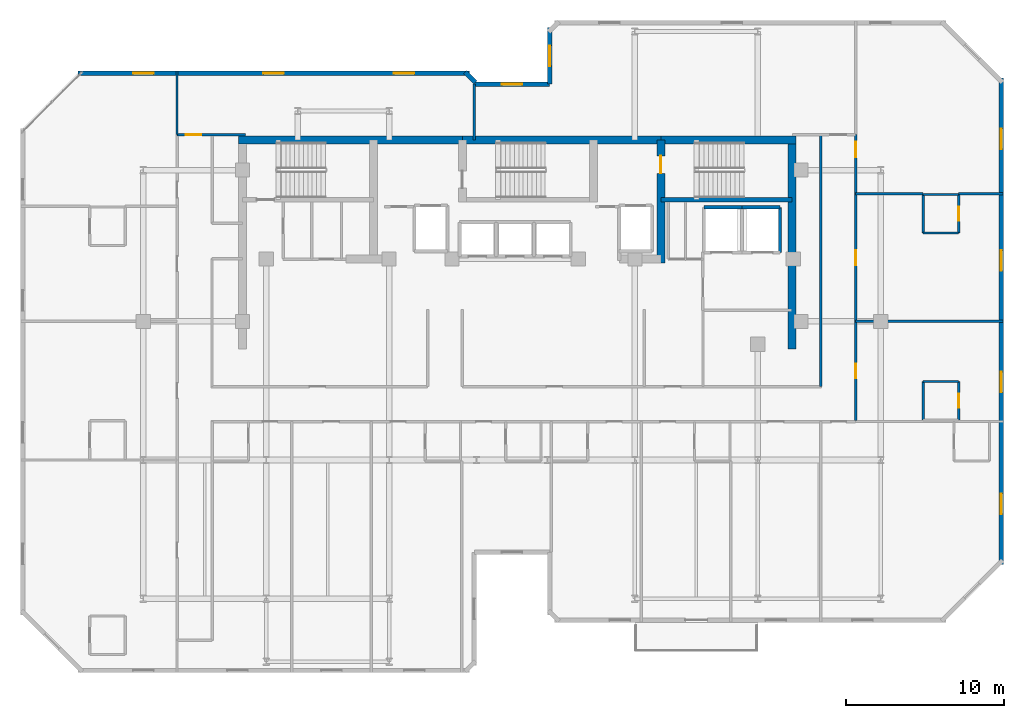
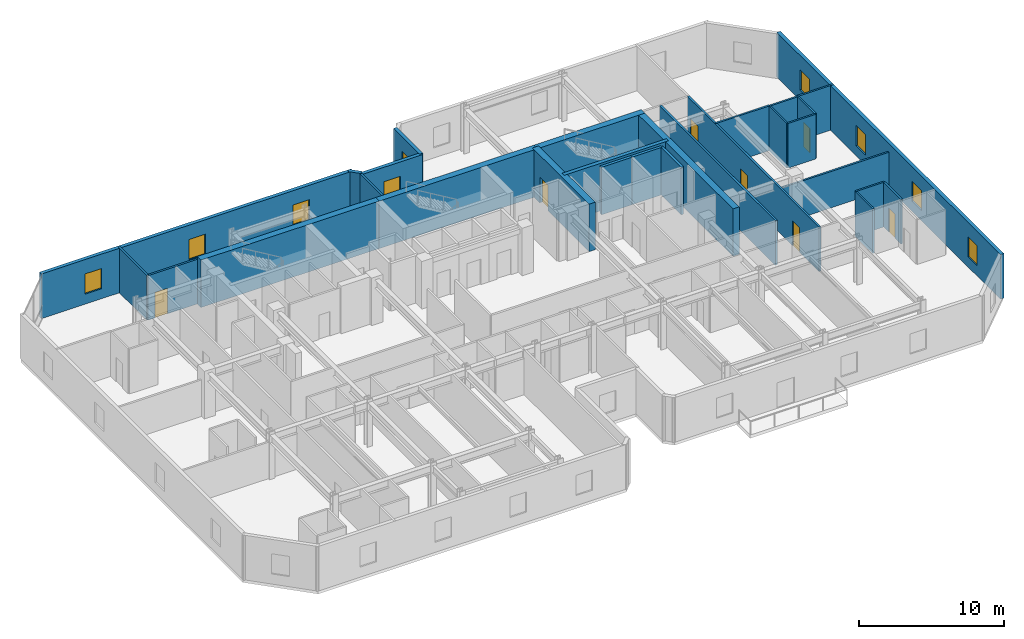
# One storey, part 7 of 11: 29 walls, 9 windows, 7 doors, 16 openings.
"""IFC4 building model written with IfcOpenShell, lengths in metres."""

from ifc_helpers import new_model, si_unit, direction, frame, frame_2d, origin, place, context, subcontext, project, spatial, rectangle, extrude, material, layer, layer_set, type_object, element, fill, save


model = new_model("IFC4")

# Units and contexts
model_context = context("Model", 3, precision=1e-05, world=origin(), true_north=direction((0.0, 1.0)))
body_context = subcontext(model_context, "Body", "Model", "MODEL_VIEW")
ifc_project = project(units=[si_unit("LENGTHUNIT", "METRE"), si_unit("AREAUNIT", "SQUARE_METRE"), si_unit("VOLUMEUNIT", "CUBIC_METRE"), si_unit("PLANEANGLEUNIT", "RADIAN"), si_unit("MASSUNIT", "GRAM", prefix="KILO")], contexts=[model_context])

# Site, building, storey
site_placement = place(None, origin())
site = spatial("IfcSite", under=ifc_project, at=site_placement, CompositionType="ELEMENT")
building_placement = place(site_placement, origin())
building = spatial("IfcBuilding", under=site, at=building_placement, Name="Kestravale Grand Hotel", CompositionType="ELEMENT")
storey_placement = place(building_placement, frame((0.0, 0.0, 289.39990234375)))
storey = spatial("IfcBuildingStorey", under=building, at=storey_placement, Name="L72", CompositionType="ELEMENT", Elevation=289.39990234375)

# Walls
ifc_material_1 = material(Name="Concrete f'c 50 MPa", Category="concrete")
ifc_layer_1 = layer(ifc_material_1, 0.5)
ifc_layer_set_1 = layer_set([ifc_layer_1], Name="EW-CORE-500")
wall_type_1 = type_object("IfcWallType", Name="EW-CORE-500", PredefinedType="SHEAR", material=ifc_layer_set_1)
wall_1_placement = place(storey_placement, frame((21.64990234375, 40.320068359375, 0.0), z_axis=(0.0, 0.0, 1.0), x_axis=(1.0, 0.0, 0.0)))
element("IfcWall", 1, at=wall_1_placement, inside=storey, type_object=wall_type_1, Name="L72 core shear wall N1", PredefinedType="SHEAR", context=body_context, shape_type="SweptSolid", body=[
    extrude(rectangle(XDim=14.2001953125, YDim=0.5, at=frame_2d((7.10009765625, 0.0))), origin(), (0.0, 0.0, 1.0), 4.0),
])
wall_2_placement = place(storey_placement, frame((35.85009765625, 40.320068359375, 0.0), z_axis=(0.0, 0.0, 1.0), x_axis=(1.0, 0.0, 0.0)))
element("IfcWall", 2, at=wall_2_placement, inside=storey, type_object=wall_type_1, Name="L72 core shear wall N2", PredefinedType="SHEAR", context=body_context, shape_type="SweptSolid", body=[
    extrude(rectangle(XDim=12.599853515625, YDim=0.5, at=frame_2d((6.2998046875, 0.0))), origin(), (0.0, 0.0, 1.0), 4.0),
])
wall_3_placement = place(storey_placement, frame((48.449951171875, 40.320068359375, 0.0), z_axis=(0.0, 0.0, 1.0), x_axis=(1.0, 0.0, 0.0)))
element("IfcWall", 3, at=wall_3_placement, inside=storey, type_object=wall_type_1, Name="L72 core shear wall N3", PredefinedType="SHEAR", context=body_context, shape_type="SweptSolid", body=[
    extrude(rectangle(XDim=8.570068359375, YDim=0.5, at=frame_2d((4.28515625, 0.0))), origin(), (0.0, 0.0, 1.0), 4.0),
])
wall_4_placement = place(storey_placement, frame((56.77001953125, 27.050048828125, 0.0), z_axis=(0.0, 0.0, 1.0), x_axis=(0.0, 1.0, 0.0)))
element("IfcWall", 4, at=wall_4_placement, inside=storey, type_object=wall_type_1, Name="L72 core shear wall E1", PredefinedType="SHEAR", context=body_context, shape_type="SweptSolid", body=[
    extrude(rectangle(XDim=13.52001953125, YDim=0.5, at=frame_2d((6.760009765625, 0.0))), origin(), (0.0, 0.0, 1.0), 4.0),
])

# Wall, opening, door
wall_5_placement = place(storey_placement, frame((48.449951171875, 32.5, 0.0), z_axis=(0.0, 0.0, 1.0), x_axis=(0.0, 1.0, 0.0)))
wall_5 = element("IfcWall", 5, at=wall_5_placement, inside=storey, type_object=wall_type_1, Name="L72 core shear wall X4", PredefinedType="SHEAR", context=body_context, shape_type="SweptSolid", body=[
    extrude(rectangle(XDim=7.820068359375, YDim=0.5, at=frame_2d((3.91015625, 0.0))), origin(), (0.0, 0.0, 1.0), 4.0),
])
opening_1_placement = place(wall_5_placement, frame((5.699951171875, 0.0, 0.0)))
opening_1 = element("IfcOpeningElement", 6, at=opening_1_placement, cuts=wall_5, Name="Opening D-ST-1100", PredefinedType="OPENING", context=body_context, shape_type="SweptSolid", body=[
    extrude(rectangle(XDim=1.10009765625, YDim=2.14990234375, at=frame_2d((0.550048828125, 1.074951171875))), frame((0.0, 0.260009765625, 0.0), z_axis=(0.0, -1.0, 0.0), x_axis=(1.0, 0.0, 0.0)), (0.0, 0.0, 1.0), 0.52001953125),
])
ifc_material_2 = material(Name="Galvanised 90-minute fire-rated steel stair door", Category="steel")
door_type_1 = type_object("IfcDoorType", Name="D-ST-1100", OperationType="NOTDEFINED", PredefinedType="DOOR", material=ifc_material_2)
door_1_placement = place(opening_1_placement, origin())
door_1 = element("IfcDoor", 7, at=door_1_placement, inside=storey, type_object=door_type_1, Name="L72 Stair ST-3 FSAE fire door", OperationType="SINGLE_SWING_RIGHT", OverallHeight=2.14990234375, OverallWidth=1.10009765625, PredefinedType="DOOR", context=body_context, shape_type="SweptSolid", body=[
    extrude(rectangle(XDim=1.10009765625, YDim=2.14990234375, at=frame_2d((0.550048828125, 1.074951171875))), frame((0.0, 0.02490234375, 0.0), z_axis=(0.0, -1.0, 0.0), x_axis=(1.0, 0.0, 0.0)), (0.0, 0.0, 1.0), 0.050048828125),
])
fill(opening_1, door_1)

# Wall, openings, windows
ifc_material_3 = material(Name="Precast concrete f'c 45 MPa", Category="concrete")
ifc_layer_2 = layer(ifc_material_3, 0.280029296875)
ifc_layer_set_2 = layer_set([ifc_layer_2], Name="EW-PREC-280")
wall_type_2 = type_object("IfcWallType", Name="EW-PREC-280", PredefinedType="SOLIDWALL", material=ifc_layer_set_2)
wall_6_placement = place(storey_placement, frame((70.06005859375, 13.360107421875, 0.0), z_axis=(0.0, 0.0, 1.0), x_axis=(0.0, 1.0, 0.0)))
wall_6 = element("IfcWall", 8, at=wall_6_placement, inside=storey, type_object=wall_type_2, Name="L72 fluted precast facade wall 9", PredefinedType="SOLIDWALL", context=body_context, shape_type="SweptSolid", body=[
    extrude(rectangle(XDim=30.8798828125, YDim=0.280029296875, at=frame_2d((15.43994140625, 0.0))), origin(), (0.0, 0.0, 1.0), 3.760009765625),
])
opening_2_placement = place(wall_6_placement, frame((3.2099609375, 0.0, 0.85009765625)))
opening_2 = element("IfcOpeningElement", 9, at=opening_2_placement, cuts=wall_6, Name="Opening W-GUEST-1300", PredefinedType="OPENING", context=body_context, shape_type="SweptSolid", body=[
    extrude(rectangle(XDim=1.300048828125, YDim=1.699951171875, at=frame_2d((0.64990234375, 0.85009765625))), frame((0.0, 0.14990234375, 0.0), z_axis=(0.0, -1.0, 0.0), x_axis=(1.0, 0.0, 0.0)), (0.0, 0.0, 1.0), 0.300048828125),
])
opening_3_placement = place(wall_6_placement, frame((10.929931640625, 0.0, 0.85009765625)))
opening_3 = element("IfcOpeningElement", 10, at=opening_3_placement, cuts=wall_6, Name="Opening W-GUEST-1300", PredefinedType="OPENING", context=body_context, shape_type="SweptSolid", body=[
    extrude(rectangle(XDim=1.300048828125, YDim=1.699951171875, at=frame_2d((0.64990234375, 0.85009765625))), frame((0.0, 0.14990234375, 0.0), z_axis=(0.0, -1.0, 0.0), x_axis=(1.0, 0.0, 0.0)), (0.0, 0.0, 1.0), 0.300048828125),
])
opening_4_placement = place(wall_6_placement, frame((18.64990234375, 0.0, 0.85009765625)))
opening_4 = element("IfcOpeningElement", 11, at=opening_4_placement, cuts=wall_6, Name="Opening W-GUEST-1300", PredefinedType="OPENING", context=body_context, shape_type="SweptSolid", body=[
    extrude(rectangle(XDim=1.300048828125, YDim=1.699951171875, at=frame_2d((0.64990234375, 0.85009765625))), frame((0.0, 0.14990234375, 0.0), z_axis=(0.0, -1.0, 0.0), x_axis=(1.0, 0.0, 0.0)), (0.0, 0.0, 1.0), 0.300048828125),
])
opening_5_placement = place(wall_6_placement, frame((26.3701171875, 0.0, 0.85009765625)))
opening_5 = element("IfcOpeningElement", 12, at=opening_5_placement, cuts=wall_6, Name="Opening W-GUEST-1300", PredefinedType="OPENING", context=body_context, shape_type="SweptSolid", body=[
    extrude(rectangle(XDim=1.300048828125, YDim=1.699951171875, at=frame_2d((0.64990234375, 0.85009765625))), frame((0.0, 0.14990234375, 0.0), z_axis=(0.0, -1.0, 0.0), x_axis=(1.0, 0.0, 0.0)), (0.0, 0.0, 1.0), 0.300048828125),
])
ifc_material_4 = material(Name="Insulated low-E double glazing in aluminium frame", Category="aluminium")
window_type = type_object("IfcWindowType", Name="W-GUEST-1300", PartitioningType="SINGLE_PANEL", PredefinedType="WINDOW", material=ifc_material_4)
window_1_placement = place(opening_2_placement, origin())
window_1 = element("IfcWindow", 13, at=window_1_placement, inside=storey, type_object=window_type, Name="L72 exterior window 9.1", OverallHeight=1.699951171875, OverallWidth=1.300048828125, PartitioningType="SINGLE_PANEL", PredefinedType="WINDOW", context=body_context, shape_type="SweptSolid", body=[
    extrude(rectangle(XDim=1.300048828125, YDim=1.699951171875, at=frame_2d((0.64990234375, 0.85009765625))), frame((0.0, 0.030029296875, 0.0), z_axis=(0.0, -1.0, 0.0), x_axis=(1.0, 0.0, 0.0)), (0.0, 0.0, 1.0), 0.06005859375),
])
fill(opening_2, window_1)
window_2_placement = place(opening_3_placement, origin())
window_2 = element("IfcWindow", 14, at=window_2_placement, inside=storey, type_object=window_type, Name="L72 exterior window 9.2", OverallHeight=1.699951171875, OverallWidth=1.300048828125, PartitioningType="SINGLE_PANEL", PredefinedType="WINDOW", context=body_context, shape_type="SweptSolid", body=[
    extrude(rectangle(XDim=1.300048828125, YDim=1.699951171875, at=frame_2d((0.64990234375, 0.85009765625))), frame((0.0, 0.030029296875, 0.0), z_axis=(0.0, -1.0, 0.0), x_axis=(1.0, 0.0, 0.0)), (0.0, 0.0, 1.0), 0.06005859375),
])
fill(opening_3, window_2)
window_3_placement = place(opening_4_placement, origin())
window_3 = element("IfcWindow", 15, at=window_3_placement, inside=storey, type_object=window_type, Name="L72 exterior window 9.3", OverallHeight=1.699951171875, OverallWidth=1.300048828125, PartitioningType="SINGLE_PANEL", PredefinedType="WINDOW", context=body_context, shape_type="SweptSolid", body=[
    extrude(rectangle(XDim=1.300048828125, YDim=1.699951171875, at=frame_2d((0.64990234375, 0.85009765625))), frame((0.0, 0.030029296875, 0.0), z_axis=(0.0, -1.0, 0.0), x_axis=(1.0, 0.0, 0.0)), (0.0, 0.0, 1.0), 0.06005859375),
])
fill(opening_4, window_3)
window_4_placement = place(opening_5_placement, origin())
window_4 = element("IfcWindow", 16, at=window_4_placement, inside=storey, type_object=window_type, Name="L72 exterior window 9.4", OverallHeight=1.699951171875, OverallWidth=1.300048828125, PartitioningType="SINGLE_PANEL", PredefinedType="WINDOW", context=body_context, shape_type="SweptSolid", body=[
    extrude(rectangle(XDim=1.300048828125, YDim=1.699951171875, at=frame_2d((0.64990234375, 0.85009765625))), frame((0.0, 0.030029296875, 0.0), z_axis=(0.0, -1.0, 0.0), x_axis=(1.0, 0.0, 0.0)), (0.0, 0.0, 1.0), 0.06005859375),
])
fill(opening_5, window_4)

# Wall, opening, window
wall_7_placement = place(storey_placement, frame((41.389892578125, 47.43994140625, 0.0), z_axis=(0.0, 0.0, 1.0), x_axis=(0.0, -1.0, 0.0)))
wall_7 = element("IfcWall", 17, at=wall_7_placement, inside=storey, type_object=wall_type_2, Name="L72 fluted precast facade wall 13", PredefinedType="SOLIDWALL", context=body_context, shape_type="SweptSolid", body=[
    extrude(rectangle(XDim=3.579833984375, YDim=0.280029296875, at=frame_2d((1.7900390625, 0.0))), origin(), (0.0, 0.0, 1.0), 3.760009765625),
])
opening_6_placement = place(wall_7_placement, frame((1.139892578125, 0.0, 0.85009765625)))
opening_6 = element("IfcOpeningElement", 18, at=opening_6_placement, cuts=wall_7, Name="Opening W-GUEST-1300", PredefinedType="OPENING", context=body_context, shape_type="SweptSolid", body=[
    extrude(rectangle(XDim=1.300048828125, YDim=1.699951171875, at=frame_2d((0.64990234375, 0.85009765625))), frame((0.0, 0.14990234375, 0.0), z_axis=(0.0, -1.0, 0.0), x_axis=(1.0, 0.0, 0.0)), (0.0, 0.0, 1.0), 0.300048828125),
])
window_5_placement = place(opening_6_placement, origin())
window_5 = element("IfcWindow", 19, at=window_5_placement, inside=storey, type_object=window_type, Name="L72 exterior window 13.1", OverallHeight=1.699951171875, OverallWidth=1.300048828125, PartitioningType="SINGLE_PANEL", PredefinedType="WINDOW", context=body_context, shape_type="SweptSolid", body=[
    extrude(rectangle(XDim=1.300048828125, YDim=1.699951171875, at=frame_2d((0.64990234375, 0.85009765625))), frame((0.0, 0.030029296875, 0.0), z_axis=(0.0, -1.0, 0.0), x_axis=(1.0, 0.0, 0.0)), (0.0, 0.0, 1.0), 0.06005859375),
])
fill(opening_6, window_5)

wall_8_placement = place(storey_placement, frame((41.389892578125, 43.860107421875, 0.0), z_axis=(0.0, 0.0, 1.0), x_axis=(-1.0, 0.0, 0.0)))
wall_8 = element("IfcWall", 20, at=wall_8_placement, inside=storey, type_object=wall_type_2, Name="L72 fluted precast facade wall 14", PredefinedType="SOLIDWALL", context=body_context, shape_type="SweptSolid", body=[
    extrude(rectangle(XDim=4.77978515625, YDim=0.280029296875, at=frame_2d((2.389892578125, 0.0))), origin(), (0.0, 0.0, 1.0), 3.760009765625),
])
opening_7_placement = place(wall_8_placement, frame((1.739990234375, 0.0, 0.85009765625)))
opening_7 = element("IfcOpeningElement", 21, at=opening_7_placement, cuts=wall_8, Name="Opening W-GUEST-1300", PredefinedType="OPENING", context=body_context, shape_type="SweptSolid", body=[
    extrude(rectangle(XDim=1.300048828125, YDim=1.699951171875, at=frame_2d((0.64990234375, 0.85009765625))), frame((0.0, 0.14990234375, 0.0), z_axis=(0.0, -1.0, 0.0), x_axis=(1.0, 0.0, 0.0)), (0.0, 0.0, 1.0), 0.300048828125),
])
window_6_placement = place(opening_7_placement, origin())
window_6 = element("IfcWindow", 22, at=window_6_placement, inside=storey, type_object=window_type, Name="L72 exterior window 14.1", OverallHeight=1.699951171875, OverallWidth=1.300048828125, PartitioningType="SINGLE_PANEL", PredefinedType="WINDOW", context=body_context, shape_type="SweptSolid", body=[
    extrude(rectangle(XDim=1.300048828125, YDim=1.699951171875, at=frame_2d((0.64990234375, 0.85009765625))), frame((0.0, 0.030029296875, 0.0), z_axis=(0.0, -1.0, 0.0), x_axis=(1.0, 0.0, 0.0)), (0.0, 0.0, 1.0), 0.06005859375),
])
fill(opening_7, window_6)

# Wall
wall_9_placement = place(storey_placement, frame((36.67919921875, 43.97265625, 0.0), z_axis=(0.0, 0.0, 1.0), x_axis=(-0.706975312048, 0.707238225886, 0.0)))
element("IfcWall", 23, at=wall_9_placement, inside=storey, type_object=wall_type_2, Name="L72 fluted precast facade wall 16", PredefinedType="SOLIDWALL", context=body_context, shape_type="SweptSolid", body=[
    extrude(rectangle(XDim=0.9287109375, YDim=0.280029296875, at=frame_2d((0.46435546875, 0.0))), origin(), (0.0, 0.0, 1.0), 3.760009765625),
])

# Wall, openings, windows
wall_10_placement = place(storey_placement, frame((36.2900390625, 44.56005859375, 0.0), z_axis=(0.0, 0.0, 1.0), x_axis=(-1.0, 0.0, 0.0)))
wall_10 = element("IfcWall", 24, at=wall_10_placement, inside=storey, type_object=wall_type_2, Name="L72 fluted precast facade wall 17", PredefinedType="SOLIDWALL", context=body_context, shape_type="SweptSolid", body=[
    extrude(rectangle(XDim=24.830078125, YDim=0.280029296875, at=frame_2d((12.4150390625, 0.0))), origin(), (0.0, 0.0, 1.0), 3.760009765625),
])
opening_8_placement = place(wall_10_placement, frame((3.48828125, 0.0, 0.85009765625)))
opening_8 = element("IfcOpeningElement", 25, at=opening_8_placement, cuts=wall_10, Name="Opening W-GUEST-1300", PredefinedType="OPENING", context=body_context, shape_type="SweptSolid", body=[
    extrude(rectangle(XDim=1.300048828125, YDim=1.699951171875, at=frame_2d((0.64990234375, 0.85009765625))), frame((0.0, 0.14990234375, 0.0), z_axis=(0.0, -1.0, 0.0), x_axis=(1.0, 0.0, 0.0)), (0.0, 0.0, 1.0), 0.300048828125),
])
opening_9_placement = place(wall_10_placement, frame((11.764892578125, 0.0, 0.85009765625)))
opening_9 = element("IfcOpeningElement", 26, at=opening_9_placement, cuts=wall_10, Name="Opening W-GUEST-1300", PredefinedType="OPENING", context=body_context, shape_type="SweptSolid", body=[
    extrude(rectangle(XDim=1.300048828125, YDim=1.699951171875, at=frame_2d((0.64990234375, 0.85009765625))), frame((0.0, 0.14990234375, 0.0), z_axis=(0.0, -1.0, 0.0), x_axis=(1.0, 0.0, 0.0)), (0.0, 0.0, 1.0), 0.300048828125),
])
opening_10_placement = place(wall_10_placement, frame((20.041748046875, 0.0, 0.85009765625)))
opening_10 = element("IfcOpeningElement", 27, at=opening_10_placement, cuts=wall_10, Name="Opening W-GUEST-1300", PredefinedType="OPENING", context=body_context, shape_type="SweptSolid", body=[
    extrude(rectangle(XDim=1.300048828125, YDim=1.699951171875, at=frame_2d((0.64990234375, 0.85009765625))), frame((0.0, 0.14990234375, 0.0), z_axis=(0.0, -1.0, 0.0), x_axis=(1.0, 0.0, 0.0)), (0.0, 0.0, 1.0), 0.300048828125),
])
window_7_placement = place(opening_8_placement, origin())
window_7 = element("IfcWindow", 28, at=window_7_placement, inside=storey, type_object=window_type, Name="L72 exterior window 17.1", OverallHeight=1.699951171875, OverallWidth=1.300048828125, PartitioningType="SINGLE_PANEL", PredefinedType="WINDOW", context=body_context, shape_type="SweptSolid", body=[
    extrude(rectangle(XDim=1.300048828125, YDim=1.699951171875, at=frame_2d((0.64990234375, 0.85009765625))), frame((0.0, 0.030029296875, 0.0), z_axis=(0.0, -1.0, 0.0), x_axis=(1.0, 0.0, 0.0)), (0.0, 0.0, 1.0), 0.06005859375),
])
fill(opening_8, window_7)
window_8_placement = place(opening_9_placement, origin())
window_8 = element("IfcWindow", 29, at=window_8_placement, inside=storey, type_object=window_type, Name="L72 exterior window 17.2", OverallHeight=1.699951171875, OverallWidth=1.300048828125, PartitioningType="SINGLE_PANEL", PredefinedType="WINDOW", context=body_context, shape_type="SweptSolid", body=[
    extrude(rectangle(XDim=1.300048828125, YDim=1.699951171875, at=frame_2d((0.64990234375, 0.85009765625))), frame((0.0, 0.030029296875, 0.0), z_axis=(0.0, -1.0, 0.0), x_axis=(1.0, 0.0, 0.0)), (0.0, 0.0, 1.0), 0.06005859375),
])
fill(opening_9, window_8)
window_9_placement = place(opening_10_placement, origin())
window_9 = element("IfcWindow", 30, at=window_9_placement, inside=storey, type_object=window_type, Name="L72 exterior window 17.3", OverallHeight=1.699951171875, OverallWidth=1.300048828125, PartitioningType="SINGLE_PANEL", PredefinedType="WINDOW", context=body_context, shape_type="SweptSolid", body=[
    extrude(rectangle(XDim=1.300048828125, YDim=1.699951171875, at=frame_2d((0.64990234375, 0.85009765625))), frame((0.0, 0.030029296875, 0.0), z_axis=(0.0, -1.0, 0.0), x_axis=(1.0, 0.0, 0.0)), (0.0, 0.0, 1.0), 0.06005859375),
])
fill(opening_10, window_9)

# Wall
ifc_material_5 = material(Name="Concrete f'c 45 MPa", Category="concrete")
ifc_layer_3 = layer(ifc_material_5, 0.300048828125)
ifc_layer_set_3 = layer_set([ifc_layer_3], Name="EW-STAIR-300")
wall_type_3 = type_object("IfcWallType", Name="EW-STAIR-300", PredefinedType="SHEAR", material=ifc_layer_set_3)
wall_11_placement = place(storey_placement, frame((48.449951171875, 36.52001953125, 0.0), z_axis=(0.0, 0.0, 1.0), x_axis=(1.0, 0.0, 0.0)))
element("IfcWall", 31, at=wall_11_placement, inside=storey, type_object=wall_type_3, Name="L72 stair enclosure shear wall SST3", PredefinedType="SHEAR", context=body_context, shape_type="SweptSolid", body=[
    extrude(rectangle(XDim=8.320068359375, YDim=0.300048828125, at=frame_2d((4.16015625, 0.0))), origin(), (0.0, 0.0, 1.0), 4.0),
])

# Wall, openings, doors
ifc_material_6 = material(Name="Acoustic fire-rated gypsum board partition", Category="other")
ifc_layer_4 = layer(ifc_material_6, 0.159912109375)
ifc_layer_set_4 = layer_set([ifc_layer_4], Name="IW-CORR-160")
wall_type_4 = type_object("IfcWallType", Name="IW-CORR-160", PredefinedType="PARTITIONING", material=ifc_layer_set_4)
wall_12_placement = place(storey_placement, frame((60.81005859375, 22.5, 0.0), z_axis=(0.0, 0.0, 1.0), x_axis=(0.0, 1.0, 0.0)))
wall_12 = element("IfcWall", 32, at=wall_12_placement, inside=storey, type_object=wall_type_4, Name="W-L72-SE-E", PredefinedType="PARTITIONING", context=body_context, shape_type="SweptSolid", body=[
    extrude(rectangle(XDim=18.14990234375, YDim=0.159912109375, at=frame_2d((9.074951171875, 0.0))), origin(), (0.0, 0.0, 1.0), 3.760009765625),
])
opening_11_placement = place(wall_12_placement, frame((2.675048828125, 0.0, 0.0)))
opening_11 = element("IfcOpeningElement", 33, at=opening_11_placement, cuts=wall_12, Name="Opening D-GUEST-950", PredefinedType="OPENING", context=body_context, shape_type="SweptSolid", body=[
    extrude(rectangle(XDim=0.949951171875, YDim=2.10009765625, at=frame_2d((0.47509765625, 1.050048828125))), frame((0.0, 0.08984375, 0.0), z_axis=(0.0, -1.0, 0.0), x_axis=(1.0, 0.0, 0.0)), (0.0, 0.0, 1.0), 0.179931640625),
])
opening_12_placement = place(wall_12_placement, frame((9.875, 0.0, 0.0)))
opening_12 = element("IfcOpeningElement", 34, at=opening_12_placement, cuts=wall_12, Name="Opening D-GUEST-950", PredefinedType="OPENING", context=body_context, shape_type="SweptSolid", body=[
    extrude(rectangle(XDim=0.949951171875, YDim=2.10009765625, at=frame_2d((0.47509765625, 1.050048828125))), frame((0.0, 0.08984375, 0.0), z_axis=(0.0, -1.0, 0.0), x_axis=(1.0, 0.0, 0.0)), (0.0, 0.0, 1.0), 0.179931640625),
])
opening_13_placement = place(wall_12_placement, frame((16.7099609375, 0.0, 0.0)))
opening_13 = element("IfcOpeningElement", 35, at=opening_13_placement, cuts=wall_12, Name="Opening D-GUEST-1000", PredefinedType="OPENING", context=body_context, shape_type="SweptSolid", body=[
    extrude(rectangle(XDim=1.0, YDim=2.14990234375, at=frame_2d((0.5, 1.074951171875))), frame((0.0, 0.08984375, 0.0), z_axis=(0.0, -1.0, 0.0), x_axis=(1.0, 0.0, 0.0)), (0.0, 0.0, 1.0), 0.179931640625),
])
ifc_material_7 = material(Name="Accessible walnut veneer hotel entrance fire door", Category="wood")
door_type_2 = type_object("IfcDoorType", Name="D-GUEST-1000", OperationType="NOTDEFINED", PredefinedType="DOOR", material=ifc_material_7)
door_2_placement = place(opening_13_placement, origin())
door_2 = element("IfcDoor", 36, at=door_2_placement, inside=storey, type_object=door_type_2, Name="D-L72-AMEW", OperationType="SINGLE_SWING_LEFT", OverallHeight=2.14990234375, OverallWidth=1.0, PredefinedType="DOOR", context=body_context, shape_type="SweptSolid", body=[
    extrude(rectangle(XDim=1.0, YDim=2.14990234375, at=frame_2d((0.5, 1.074951171875))), frame((0.0, 0.02490234375, 0.0), z_axis=(0.0, -1.0, 0.0), x_axis=(1.0, 0.0, 0.0)), (0.0, 0.0, 1.0), 0.050048828125),
])
fill(opening_13, door_2)
ifc_material_8 = material(Name="Walnut veneer hotel guestroom entrance fire door", Category="wood")
door_type_3 = type_object("IfcDoorType", Name="D-GUEST-950", OperationType="NOTDEFINED", PredefinedType="DOOR", material=ifc_material_8)
door_3_placement = place(opening_11_placement, origin())
door_3 = element("IfcDoor", 37, at=door_3_placement, inside=storey, type_object=door_type_3, Name="D-L72-U10-ENT", OperationType="SINGLE_SWING_RIGHT", OverallHeight=2.10009765625, OverallWidth=0.949951171875, PredefinedType="DOOR", context=body_context, shape_type="SweptSolid", body=[
    extrude(rectangle(XDim=0.949951171875, YDim=2.10009765625, at=frame_2d((0.47509765625, 1.050048828125))), frame((0.0, 0.02490234375, 0.0), z_axis=(0.0, -1.0, 0.0), x_axis=(1.0, 0.0, 0.0)), (0.0, 0.0, 1.0), 0.050048828125),
])
fill(opening_11, door_3)
door_4_placement = place(opening_12_placement, origin())
door_4 = element("IfcDoor", 38, at=door_4_placement, inside=storey, type_object=door_type_3, Name="D-L72-U11-ENT", OperationType="SINGLE_SWING_RIGHT", OverallHeight=2.10009765625, OverallWidth=0.949951171875, PredefinedType="DOOR", context=body_context, shape_type="SweptSolid", body=[
    extrude(rectangle(XDim=0.949951171875, YDim=2.10009765625, at=frame_2d((0.47509765625, 1.050048828125))), frame((0.0, 0.02490234375, 0.0), z_axis=(0.0, -1.0, 0.0), x_axis=(1.0, 0.0, 0.0)), (0.0, 0.0, 1.0), 0.050048828125),
])
fill(opening_12, door_4)

# Walls
wall_13_placement = place(storey_placement, frame((58.590087890625, 24.659912109375, 0.0), z_axis=(0.0, 0.0, 1.0), x_axis=(0.0, 1.0, 0.0)))
element("IfcWall", 39, at=wall_13_placement, inside=storey, type_object=wall_type_4, Name="W-L72-SE-WU", PredefinedType="PARTITIONING", context=body_context, shape_type="SweptSolid", body=[
    extrude(rectangle(XDim=15.989990234375, YDim=0.159912109375, at=frame_2d((7.9951171875, 0.0))), origin(), (0.0, 0.0, 1.0), 3.760009765625),
])
ifc_material_9 = material(Name="Moisture-resistant tile-backer plumbing chase wall", Category="other")
ifc_layer_5 = layer(ifc_material_9, 0.139892578125)
ifc_layer_set_5 = layer_set([ifc_layer_5], Name="IW-PLB-140")
wall_type_5 = type_object("IfcWallType", Name="IW-PLB-140", PredefinedType="PLUMBINGWALL", material=ifc_layer_set_5)
wall_14_placement = place(storey_placement, frame((65.10009765625, 22.5400390625, 0.0), z_axis=(0.0, 0.0, 1.0), x_axis=(0.0, 1.0, 0.0)))
element("IfcWall", 40, at=wall_14_placement, inside=storey, type_object=wall_type_5, Name="W-L72-U10-BW", PredefinedType="PLUMBINGWALL", context=body_context, shape_type="SweptSolid", body=[
    extrude(rectangle(XDim=2.449951171875, YDim=0.139892578125, at=frame_2d((1.22509765625, 0.0))), origin(), (0.0, 0.0, 1.0), 3.760009765625),
])

# Wall, opening, door
wall_15_placement = place(storey_placement, frame((67.35009765625, 22.5400390625, 0.0), z_axis=(0.0, 0.0, 1.0), x_axis=(0.0, 1.0, 0.0)))
wall_15 = element("IfcWall", 41, at=wall_15_placement, inside=storey, type_object=wall_type_5, Name="W-L72-U10-BE", PredefinedType="PLUMBINGWALL", context=body_context, shape_type="SweptSolid", body=[
    extrude(rectangle(XDim=2.449951171875, YDim=0.139892578125, at=frame_2d((1.22509765625, 0.0))), origin(), (0.0, 0.0, 1.0), 3.760009765625),
])
opening_14_placement = place(wall_15_placement, frame((0.784912109375, 0.0, 0.0)))
opening_14 = element("IfcOpeningElement", 42, at=opening_14_placement, cuts=wall_15, Name="Opening D-BATH-880", PredefinedType="OPENING", context=body_context, shape_type="SweptSolid", body=[
    extrude(rectangle(XDim=0.8798828125, YDim=2.050048828125, at=frame_2d((0.43994140625, 1.02490234375))), frame((0.0, 0.079833984375, 0.0), z_axis=(0.0, -1.0, 0.0), x_axis=(1.0, 0.0, 0.0)), (0.0, 0.0, 1.0), 0.159912109375),
])
ifc_material_10 = material(Name="Moisture-sealed walnut en-suite bathroom door", Category="wood")
door_type_4 = type_object("IfcDoorType", Name="D-BATH-880", OperationType="NOTDEFINED", PredefinedType="DOOR", material=ifc_material_10)
door_5_placement = place(opening_14_placement, origin())
door_5 = element("IfcDoor", 43, at=door_5_placement, inside=storey, type_object=door_type_4, Name="D-L72-U10-BATH", OperationType="SINGLE_SWING_LEFT", OverallHeight=2.050048828125, OverallWidth=0.8798828125, PredefinedType="DOOR", context=body_context, shape_type="SweptSolid", body=[
    extrude(rectangle(XDim=0.8798828125, YDim=2.050048828125, at=frame_2d((0.43994140625, 1.02490234375))), frame((0.0, 0.02490234375, 0.0), z_axis=(0.0, -1.0, 0.0), x_axis=(1.0, 0.0, 0.0)), (0.0, 0.0, 1.0), 0.050048828125),
])
fill(opening_14, door_5)

# Walls
wall_16_placement = place(storey_placement, frame((65.10009765625, 24.989990234375, 0.0), z_axis=(0.0, 0.0, 1.0), x_axis=(1.0, 0.0, 0.0)))
element("IfcWall", 44, at=wall_16_placement, inside=storey, type_object=wall_type_5, Name="W-L72-U10-BN", PredefinedType="PLUMBINGWALL", context=body_context, shape_type="SweptSolid", body=[
    extrude(rectangle(XDim=2.25, YDim=0.139892578125, at=frame_2d((1.125, 0.0))), origin(), (0.0, 0.0, 1.0), 3.760009765625),
])
wall_17_placement = place(storey_placement, frame((65.10009765625, 34.409912109375, 0.0), z_axis=(0.0, 0.0, 1.0), x_axis=(0.0, 1.0, 0.0)))
element("IfcWall", 45, at=wall_17_placement, inside=storey, type_object=wall_type_5, Name="W-L72-U11-BW", PredefinedType="PLUMBINGWALL", context=body_context, shape_type="SweptSolid", body=[
    extrude(rectangle(XDim=2.4501953125, YDim=0.139892578125, at=frame_2d((1.22509765625, 0.0))), origin(), (0.0, 0.0, 1.0), 3.760009765625),
])

# Wall, opening, door
wall_18_placement = place(storey_placement, frame((67.35009765625, 34.409912109375, 0.0), z_axis=(0.0, 0.0, 1.0), x_axis=(0.0, 1.0, 0.0)))
wall_18 = element("IfcWall", 46, at=wall_18_placement, inside=storey, type_object=wall_type_5, Name="W-L72-U11-BE", PredefinedType="PLUMBINGWALL", context=body_context, shape_type="SweptSolid", body=[
    extrude(rectangle(XDim=2.4501953125, YDim=0.139892578125, at=frame_2d((1.22509765625, 0.0))), origin(), (0.0, 0.0, 1.0), 3.760009765625),
])
opening_15_placement = place(wall_18_placement, frame((0.784912109375, 0.0, 0.0)))
opening_15 = element("IfcOpeningElement", 47, at=opening_15_placement, cuts=wall_18, Name="Opening D-BATH-880", PredefinedType="OPENING", context=body_context, shape_type="SweptSolid", body=[
    extrude(rectangle(XDim=0.8798828125, YDim=2.050048828125, at=frame_2d((0.43994140625, 1.02490234375))), frame((0.0, 0.079833984375, 0.0), z_axis=(0.0, -1.0, 0.0), x_axis=(1.0, 0.0, 0.0)), (0.0, 0.0, 1.0), 0.159912109375),
])
door_6_placement = place(opening_15_placement, origin())
door_6 = element("IfcDoor", 48, at=door_6_placement, inside=storey, type_object=door_type_4, Name="D-L72-U11-BATH", OperationType="SINGLE_SWING_LEFT", OverallHeight=2.050048828125, OverallWidth=0.8798828125, PredefinedType="DOOR", context=body_context, shape_type="SweptSolid", body=[
    extrude(rectangle(XDim=0.8798828125, YDim=2.050048828125, at=frame_2d((0.43994140625, 1.02490234375))), frame((0.0, 0.02490234375, 0.0), z_axis=(0.0, -1.0, 0.0), x_axis=(1.0, 0.0, 0.0)), (0.0, 0.0, 1.0), 0.050048828125),
])
fill(opening_15, door_6)

# Walls
for number, where, z_axis, x_axis, name in (
    (49, (65.10009765625, 34.409912109375, 0.0), (0.0, 0.0, 1.0), (1.0, 0.0, 0.0), "W-L72-U11-BS"),
    (50, (65.10009765625, 36.860107421875, 0.0), (0.0, 0.0, 1.0), (1.0, 0.0, 0.0), "W-L72-U11-BN"),
):
    element("IfcWall", number, at=place(storey_placement, frame(where, z_axis=z_axis, x_axis=x_axis)), inside=storey, type_object=wall_type_5, Name=name, PredefinedType="PLUMBINGWALL", context=body_context, shape_type="SweptSolid", body=[
        extrude(rectangle(XDim=2.25, YDim=0.139892578125, at=frame_2d((1.125, 0.0))), origin(), (0.0, 0.0, 1.0), 3.760009765625),
    ])
ifc_material_11 = material(Name="Concrete f'c 45 MPa", Category="concrete")
ifc_layer_6 = layer(ifc_material_11, 0.199951171875)
ifc_layer_set_6 = layer_set([ifc_layer_6], Name="IW-SHAFT-200")
wall_type_6 = type_object("IfcWallType", Name="IW-SHAFT-200", PredefinedType="SHEAR", material=ifc_layer_set_6)
wall_19_placement = place(storey_placement, frame((56.02001953125, 33.169921875, 0.0), z_axis=(0.0, 0.0, 1.0), x_axis=(0.0, 1.0, 0.0)))
element("IfcWall", 51, at=wall_19_placement, inside=storey, type_object=wall_type_6, Name="L72 SL-2 east shaft wall", PredefinedType="SHEAR", context=body_context, shape_type="SweptSolid", body=[
    extrude(rectangle(XDim=2.860107421875, YDim=0.199951171875, at=frame_2d((1.43017578125, 0.0))), origin(), (0.0, 0.0, 1.0), 4.0),
])
ifc_material_12 = material(Name="Concrete f'c 45 MPa", Category="concrete")
ifc_layer_7 = layer(ifc_material_12, 0.219970703125)
ifc_layer_set_7 = layer_set([ifc_layer_7], Name="IW-SHAFT-220")
wall_type_7 = type_object("IfcWallType", Name="IW-SHAFT-220", PredefinedType="SHEAR", material=ifc_layer_set_7)
wall_20_placement = place(storey_placement, frame((51.179931640625, 36.030029296875, 0.0), z_axis=(0.0, 0.0, 1.0), x_axis=(1.0, 0.0, 0.0)))
element("IfcWall", 52, at=wall_20_placement, inside=storey, type_object=wall_type_7, Name="L72 SL-1 north shaft wall", PredefinedType="SHEAR", context=body_context, shape_type="SweptSolid", body=[
    extrude(rectangle(XDim=2.420166015625, YDim=0.219970703125, at=frame_2d((1.2099609375, 0.0))), origin(), (0.0, 0.0, 1.0), 4.0),
])
wall_21_placement = place(storey_placement, frame((53.60009765625, 36.030029296875, 0.0), z_axis=(0.0, 0.0, 1.0), x_axis=(1.0, 0.0, 0.0)))
element("IfcWall", 53, at=wall_21_placement, inside=storey, type_object=wall_type_7, Name="L72 SL-2 north shaft wall", PredefinedType="SHEAR", context=body_context, shape_type="SweptSolid", body=[
    extrude(rectangle(XDim=2.419921875, YDim=0.219970703125, at=frame_2d((1.2099609375, 0.0))), origin(), (0.0, 0.0, 1.0), 4.0),
])

# Wall, opening, door
ifc_material_13 = material(Name="Double-stud STC 52 acoustic demising partition", Category="other")
ifc_layer_8 = layer(ifc_material_13, 0.14990234375)
ifc_layer_set_8 = layer_set([ifc_layer_8], Name="IW-UNIT-150")
wall_type_8 = type_object("IfcWallType", Name="IW-UNIT-150", PredefinedType="PARTITIONING", material=ifc_layer_set_8)
wall_22_placement = place(storey_placement, frame((17.739990234375, 40.64990234375, 0.0), z_axis=(0.0, 0.0, 1.0), x_axis=(1.0, 0.0, 0.0)))
wall_22 = element("IfcWall", 54, at=wall_22_placement, inside=storey, type_object=wall_type_8, Name="W-L72-SW-N", PredefinedType="PARTITIONING", context=body_context, shape_type="SweptSolid", body=[
    extrude(rectangle(XDim=4.360107421875, YDim=0.14990234375, at=frame_2d((2.18017578125, 0.0))), origin(), (0.0, 0.0, 1.0), 3.760009765625),
])
opening_16_placement = place(wall_22_placement, frame((0.550048828125, 0.0, 0.0)))
opening_16 = element("IfcOpeningElement", 55, at=opening_16_placement, cuts=wall_22, Name="Opening D-GUEST-1000", PredefinedType="OPENING", context=body_context, shape_type="SweptSolid", body=[
    extrude(rectangle(XDim=1.0, YDim=2.14990234375, at=frame_2d((0.5, 1.074951171875))), frame((0.0, 0.0849609375, 0.0), z_axis=(0.0, -1.0, 0.0), x_axis=(1.0, 0.0, 0.0)), (0.0, 0.0, 1.0), 0.169921875),
])
door_7_placement = place(opening_16_placement, origin())
door_7 = element("IfcDoor", 56, at=door_7_placement, inside=storey, type_object=door_type_2, Name="L72 NW Gallery Door", OperationType="SINGLE_SWING_RIGHT", OverallHeight=2.14990234375, OverallWidth=1.0, PredefinedType="DOOR", context=body_context, shape_type="SweptSolid", body=[
    extrude(rectangle(XDim=1.0, YDim=2.14990234375, at=frame_2d((0.5, 1.074951171875))), frame((0.0, 0.02490234375, 0.0), z_axis=(0.0, -1.0, 0.0), x_axis=(1.0, 0.0, 0.0)), (0.0, 0.0, 1.0), 0.050048828125),
])
fill(opening_16, door_7)

# Walls
wall_23_placement = place(storey_placement, frame((17.739990234375, 40.64990234375, 0.0), z_axis=(0.0, 0.0, 1.0), x_axis=(0.0, 1.0, 0.0)))
element("IfcWall", 57, at=wall_23_placement, inside=storey, type_object=wall_type_8, Name="W-L72-NGW-W", PredefinedType="PARTITIONING", context=body_context, shape_type="SweptSolid", body=[
    extrude(rectangle(XDim=4.030029296875, YDim=0.14990234375, at=frame_2d((2.01513671875, 0.0))), origin(), (0.0, 0.0, 1.0), 3.760009765625),
])
wall_24_placement = place(storey_placement, frame((36.60009765625, 40.320068359375, 0.0), z_axis=(0.0, 0.0, 1.0), x_axis=(0.0, 1.0, 0.0)))
element("IfcWall", 58, at=wall_24_placement, inside=storey, type_object=wall_type_8, Name="W-L72-NGM", PredefinedType="PARTITIONING", context=body_context, shape_type="SweptSolid", body=[
    extrude(rectangle(XDim=3.544921875, YDim=0.14990234375, at=frame_2d((1.7724609375, 0.0))), origin(), (0.0, 0.0, 1.0), 3.760009765625),
])
wall_25_placement = place(storey_placement, frame((60.81005859375, 28.800048828125, 0.0), z_axis=(0.0, 0.0, 1.0), x_axis=(1.0, 0.0, 0.0)))
element("IfcWall", 59, at=wall_25_placement, inside=storey, type_object=wall_type_8, Name="W-L72-EW-1", PredefinedType="PARTITIONING", context=body_context, shape_type="SweptSolid", body=[
    extrude(rectangle(XDim=9.369873046875, YDim=0.14990234375, at=frame_2d((4.68505859375, 0.0))), origin(), (0.0, 0.0, 1.0), 3.064208984375),
])
wall_26_placement = place(storey_placement, frame((60.81005859375, 36.89990234375, 0.0), z_axis=(0.0, 0.0, 1.0), x_axis=(1.0, 0.0, 0.0)))
element("IfcWall", 60, at=wall_26_placement, inside=storey, type_object=wall_type_8, Name="W-L72-EW-2", PredefinedType="PARTITIONING", context=body_context, shape_type="SweptSolid", body=[
    extrude(rectangle(XDim=4.2900390625, YDim=0.14990234375, at=frame_2d((2.14501953125, 0.0))), origin(), (0.0, 0.0, 1.0), 3.760009765625),
])
wall_27_placement = place(storey_placement, frame((67.35009765625, 36.89990234375, 0.0), z_axis=(0.0, 0.0, 1.0), x_axis=(1.0, 0.0, 0.0)))
element("IfcWall", 61, at=wall_27_placement, inside=storey, type_object=wall_type_8, Name="W-L72-EW-2", PredefinedType="PARTITIONING", context=body_context, shape_type="SweptSolid", body=[
    extrude(rectangle(XDim=2.829833984375, YDim=0.14990234375, at=frame_2d((1.4150390625, 0.0))), origin(), (0.0, 0.0, 1.0), 3.760009765625),
])

save(model, "model.ifc")
